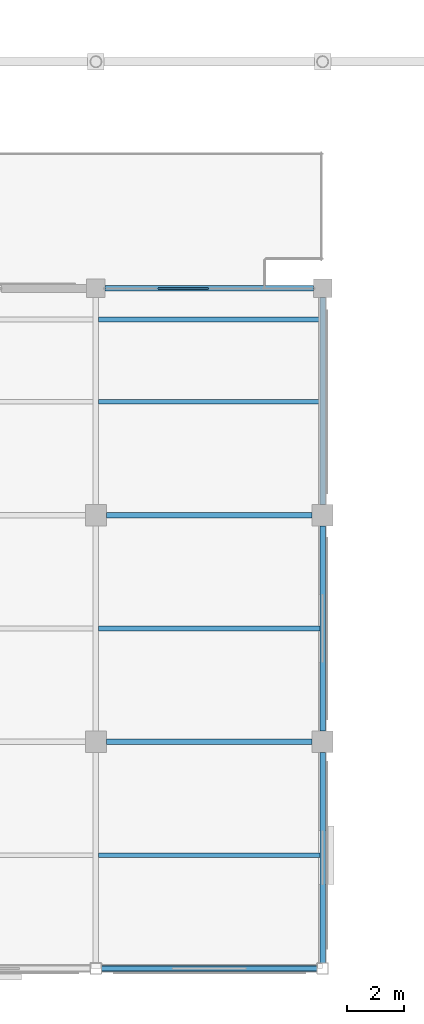
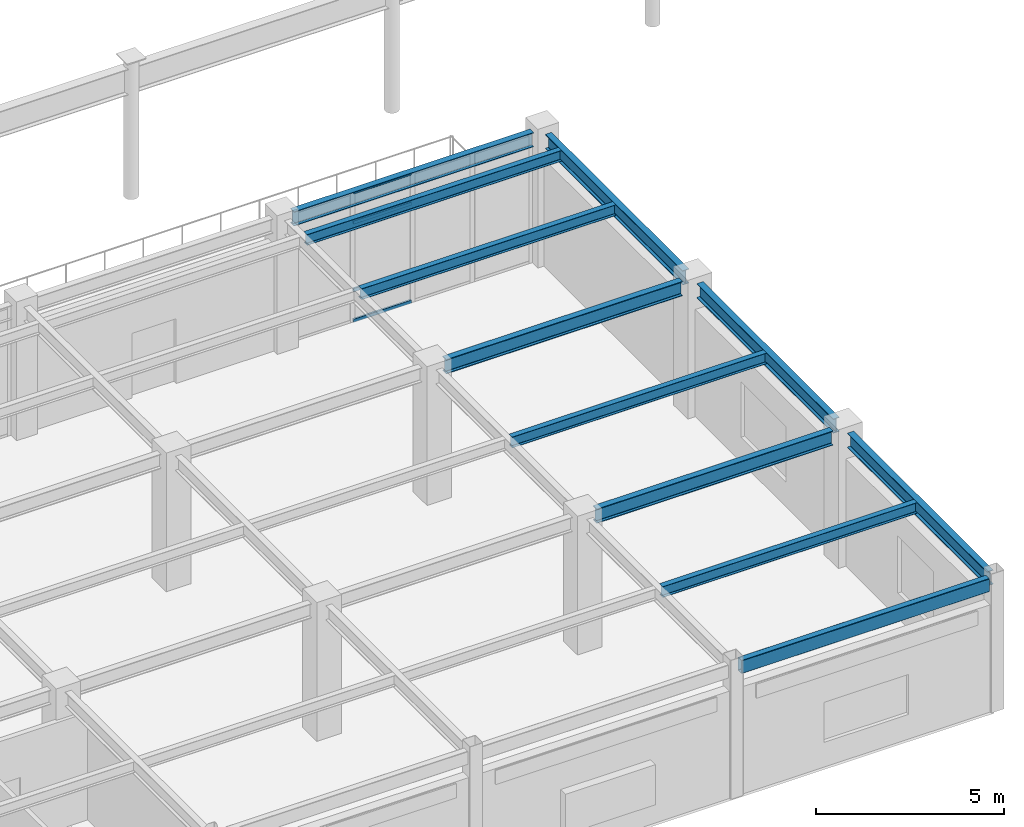
# One storey, part 28 of 78: 11 beams, 4 members, 1 element without a shape of its own.
"""IFC4 building model written with IfcOpenShell, lengths in metres."""

from ifc_helpers import new_model, si_unit, direction, frame, origin, origin_2d, place, context, subcontext, project, spatial, hollow_rectangle, i_section, extrude, material, material_profile, profile_set, type_object, element, aggregate, save


model = new_model("IFC4")

# Units and contexts
model_context = context("Model", 3, precision=1e-05, world=origin(), true_north=direction((0.0, 1.0)))
body_context = subcontext(model_context, "Body", "Model", "MODEL_VIEW")
ifc_project = project(units=[si_unit("LENGTHUNIT", "METRE"), si_unit("AREAUNIT", "SQUARE_METRE"), si_unit("VOLUMEUNIT", "CUBIC_METRE"), si_unit("PLANEANGLEUNIT", "RADIAN"), si_unit("MASSUNIT", "GRAM", prefix="KILO")], contexts=[model_context])

# Site, building, storey
site_placement = place(None, origin())
site = spatial("IfcSite", under=ifc_project, at=site_placement, CompositionType="ELEMENT")
building_placement = place(site_placement, origin())
building = spatial("IfcBuilding", under=site, at=building_placement, Name="Solmirada Galleria", CompositionType="ELEMENT")
storey_placement = place(building_placement, frame((0.0, 0.0, 23.89990234375)))
storey = spatial("IfcBuildingStorey", under=building, at=storey_placement, Name="L05", CompositionType="ELEMENT", Elevation=23.89990234375)

# Beams
ifc_material_1 = material(Name="Steel S355 / ASTM A992 Grade 50", Category="steel")
ifc_material_profile_1 = material_profile(ifc_material_1, i_section(OverallWidth=0.194091796875, OverallDepth=0.468994140625, WebThickness=0.0126953125, FlangeThickness=0.0205078125, FilletRadius=0.013916015625, at=origin_2d()), Name="W18X71")
ifc_profile_set_1 = profile_set([ifc_material_profile_1], Name="Steel S355 / ASTM A992 Grade 50")
beam_type_1 = type_object("IfcBeamType", Name="BM-GIRD-W18B", PredefinedType="BEAM", material=ifc_profile_set_1)
beam_1_placement = place(storey_placement, frame((128.375, 16.0, 4.065673828125), z_axis=(1.0, 0.0, 0.0), x_axis=(0.0, 1.0, 0.0)))
element("IfcBeam", 1, at=beam_1_placement, inside=storey, type_object=beam_type_1, Name="Primary beam L06 X(128..136, 16)", PredefinedType="BEAM", context=body_context, shape_type="SweptSolid", body=[
    extrude(i_section(OverallWidth=0.194091796875, OverallDepth=0.468994140625, WebThickness=0.0126953125, FlangeThickness=0.0205078125, FilletRadius=0.013916015625, at=origin_2d()), origin(), (0.0, 0.0, 1.0), 7.25),
])
ifc_material_profile_2 = material_profile(ifc_material_1, i_section(OverallWidth=0.193115234375, OverallDepth=0.466064453125, WebThickness=0.011474609375, FlangeThickness=0.01904296875, FilletRadius=0.013916015625, at=origin_2d()), Name="W18X65")
ifc_profile_set_2 = profile_set([ifc_material_profile_2], Name="Steel S355 / ASTM A992 Grade 50")
beam_type_2 = type_object("IfcBeamType", Name="BM-GIRD-W18C", PredefinedType="BEAM", material=ifc_profile_set_2)
beam_2_placement = place(storey_placement, frame((128.375, 8.0, 4.067138671875), z_axis=(1.0, 0.0, 0.0), x_axis=(0.0, 1.0, 0.0)))
element("IfcBeam", 2, at=beam_2_placement, inside=storey, type_object=beam_type_2, Name="Primary beam L06 X(128..136, 8)", PredefinedType="BEAM", context=body_context, shape_type="SweptSolid", body=[
    extrude(i_section(OverallWidth=0.193115234375, OverallDepth=0.466064453125, WebThickness=0.011474609375, FlangeThickness=0.01904296875, FilletRadius=0.013916015625, at=origin_2d()), origin(), (0.0, 0.0, 1.0), 7.25),
])
beam_3_placement = place(storey_placement, frame((128.324951171875, 24.0, 4.027099609375), z_axis=(1.0, 0.0, 0.0), x_axis=(0.0, 1.0, 0.0)))
element("IfcBeam", 3, at=beam_3_placement, inside=storey, type_object=beam_type_2, Name="Primary beam L06 X(128..136, 24)", PredefinedType="BEAM", context=body_context, shape_type="SweptSolid", body=[
    extrude(i_section(OverallWidth=0.193115234375, OverallDepth=0.466064453125, WebThickness=0.011474609375, FlangeThickness=0.01904296875, FilletRadius=0.013916015625, at=origin_2d()), origin(), (0.0, 0.0, 1.0), 7.35009765625),
])
beam_4_placement = place(storey_placement, frame((136.0, 0.202880859375, 4.067138671875), z_axis=(0.0, 1.0, 0.0), x_axis=(-1.0, 0.0, 0.0)))
element("IfcBeam", 4, at=beam_4_placement, inside=storey, type_object=beam_type_2, Name="Primary girder L06 Y(136, 0..8)", PredefinedType="BEAM", context=body_context, shape_type="SweptSolid", body=[
    extrude(i_section(OverallWidth=0.193115234375, OverallDepth=0.466064453125, WebThickness=0.011474609375, FlangeThickness=0.01904296875, FilletRadius=0.013916015625, at=origin_2d()), origin(), (0.0, 0.0, 1.0), 7.422119140625),
])
beam_5_placement = place(storey_placement, frame((136.0, 8.375, 4.067138671875), z_axis=(0.0, 1.0, 0.0), x_axis=(-1.0, 0.0, 0.0)))
element("IfcBeam", 5, at=beam_5_placement, inside=storey, type_object=beam_type_2, Name="Primary girder L06 Y(136, 8..16)", PredefinedType="BEAM", context=body_context, shape_type="SweptSolid", body=[
    extrude(i_section(OverallWidth=0.193115234375, OverallDepth=0.466064453125, WebThickness=0.011474609375, FlangeThickness=0.01904296875, FilletRadius=0.013916015625, at=origin_2d()), origin(), (0.0, 0.0, 1.0), 7.25),
])
beam_6_placement = place(storey_placement, frame((136.0, 16.375, 4.027099609375), z_axis=(0.0, 1.0, 0.0), x_axis=(-1.0, 0.0, 0.0)))
element("IfcBeam", 6, at=beam_6_placement, inside=storey, type_object=beam_type_2, Name="Primary girder L06 Y(136, 16..24)", PredefinedType="BEAM", context=body_context, shape_type="SweptSolid", body=[
    extrude(i_section(OverallWidth=0.193115234375, OverallDepth=0.466064453125, WebThickness=0.011474609375, FlangeThickness=0.01904296875, FilletRadius=0.013916015625, at=origin_2d()), origin(), (0.0, 0.0, 1.0), 7.300048828125),
])
ifc_material_profile_3 = material_profile(ifc_material_1, i_section(OverallWidth=0.1708984375, OverallDepth=0.35205078125, WebThickness=0.0068359375, FlangeThickness=0.009765625, FilletRadius=0.010986328125, at=origin_2d()), Name="W14X30")
ifc_profile_set_3 = profile_set([ifc_material_profile_3], Name="Steel S355 / ASTM A992 Grade 50")
beam_type_3 = type_object("IfcBeamType", Name="BM-JST-W14B", PredefinedType="JOIST", material=ifc_profile_set_3)
for number, where, z_axis, x_axis, name in (
    (7, (128.096435546875, 4.0, 4.1240234375), (1.0, 0.0, 0.0), (0.0, 1.0, 0.0), "Composite floor joist L06 (128..136, 4.0)"),
    (8, (128.096435546875, 12.0, 4.1240234375), (1.0, 0.0, 0.0), (0.0, 1.0, 0.0), "Composite floor joist L06 (128..136, 12.0)"),
    (9, (128.096435546875, 20.0, 4.083984375), (1.0, 0.0, 0.0), (0.0, 1.0, 0.0), "Composite floor joist L06 (128..136, 20.0)"),
    (10, (128.096435546875, 22.89990234375, 4.083984375), (1.0, 0.0, 0.0), (0.0, 1.0, 0.0), "Terrace deck joist L06-TERR-SE X=128..136 (2)"),
):
    element("IfcBeam", number, at=place(storey_placement, frame(where, z_axis=z_axis, x_axis=x_axis)), inside=storey, type_object=beam_type_3, Name=name, PredefinedType="JOIST", context=body_context, shape_type="SweptSolid", body=[
        extrude(i_section(OverallWidth=0.1708984375, OverallDepth=0.35205078125, WebThickness=0.0068359375, FlangeThickness=0.009765625, FilletRadius=0.010986328125, at=origin_2d()), origin(), (0.0, 0.0, 1.0), 7.80712890625),
    ])
ifc_material_2 = material(Name="Steel S355 / ASTM A500 Grade C", Category="steel")
ifc_material_profile_4 = material_profile(ifc_material_2, hollow_rectangle(XDim=0.202880859375, YDim=0.431884765625, WallThickness=0.01171875, InnerFilletRadius=0.01171875, OuterFilletRadius=0.023681640625, at=origin_2d()), Name="HSS17X8X1/2")
ifc_profile_set_4 = profile_set([ifc_material_profile_4], Name="Steel S355 / ASTM A500 Grade C")
beam_type_4 = type_object("IfcBeamType", Name="BM-SPAND-W16B", PredefinedType="SPANDREL", material=ifc_profile_set_4)
beam_7_placement = place(storey_placement, frame((128.202880859375, 0.0, 4.083984375), z_axis=(1.0, 0.0, 0.0), x_axis=(0.0, 1.0, 0.0)))
element("IfcBeam", 11, at=beam_7_placement, inside=storey, type_object=beam_type_4, Name="Primary beam L06 X(128..136, 0)", PredefinedType="SPANDREL", context=body_context, shape_type="SweptSolid", body=[
    extrude(hollow_rectangle(XDim=0.202880859375, YDim=0.431884765625, WallThickness=0.01171875, InnerFilletRadius=0.01171875, OuterFilletRadius=0.023681640625, at=origin_2d()), origin(), (0.0, 0.0, 1.0), 7.59423828125),
])

# Curtain wall, members
ifc_material_3 = material(Name="Impact-resistant low-E double glazing", Category="glass")
curtain_wall_type = type_object("IfcCurtainWallType", Name="CW-FZ5-L05-B4-L074", PredefinedType="NOTDEFINED", material=ifc_material_3)
curtain_wall_placement = place(storey_placement, origin())
curtain_wall = element("IfcCurtainWall", 12, at=curtain_wall_placement, inside=storey, type_object=curtain_wall_type, Name="Terrace and arcade storefront CW-L05-184", PredefinedType="NOTDEFINED")
ifc_material_4 = material(Name="Anodised aluminium framing", Category="aluminium")
ifc_material_profile_5 = material_profile(ifc_material_4, hollow_rectangle(XDim=0.06005859375, YDim=0.110107421875, WallThickness=0.003173828125, InnerFilletRadius=0.003173828125, OuterFilletRadius=0.00634765625, at=origin_2d()), Name="ALU-TRAN-110X60")
ifc_profile_set_5 = profile_set([ifc_material_profile_5], Name="Anodised aluminium framing")
member_type = type_object("IfcMemberType", Name="CW-TRAN-110", PredefinedType="USERDEFINED", material=ifc_profile_set_5)
member_1_placement = place(storey_placement, frame((130.193603515625, 24.0, 0.030029296875), z_axis=(1.0, 0.0, 0.0), x_axis=(0.0, 1.0, 0.0)))
member_1 = element("IfcMember", 13, at=member_1_placement, type_object=member_type, Name="CW37 transom 2.1", ObjectType="TRANSOM", PredefinedType="USERDEFINED", context=body_context, shape_type="SweptSolid", body=[
    extrude(hollow_rectangle(XDim=0.06005859375, YDim=0.110107421875, WallThickness=0.003173828125, InnerFilletRadius=0.003173828125, OuterFilletRadius=0.00634765625, at=origin_2d()), origin(), (0.0, 0.0, 1.0), 1.7763671875),
])
member_2_placement = place(storey_placement, frame((130.193603515625, 24.0, 1.02001953125), z_axis=(1.0, 0.0, 0.0), x_axis=(0.0, 1.0, 0.0)))
member_2 = element("IfcMember", 14, at=member_2_placement, type_object=member_type, Name="CW37 transom 2.2", ObjectType="TRANSOM", PredefinedType="USERDEFINED", context=body_context, shape_type="SweptSolid", body=[
    extrude(hollow_rectangle(XDim=0.06005859375, YDim=0.110107421875, WallThickness=0.003173828125, InnerFilletRadius=0.003173828125, OuterFilletRadius=0.00634765625, at=origin_2d()), origin(), (0.0, 0.0, 1.0), 1.7763671875),
])
member_3_placement = place(storey_placement, frame((130.193603515625, 24.0, 3.210205078125), z_axis=(1.0, 0.0, 0.0), x_axis=(0.0, 1.0, 0.0)))
member_3 = element("IfcMember", 15, at=member_3_placement, type_object=member_type, Name="CW37 transom 2.3", ObjectType="TRANSOM", PredefinedType="USERDEFINED", context=body_context, shape_type="SweptSolid", body=[
    extrude(hollow_rectangle(XDim=0.06005859375, YDim=0.110107421875, WallThickness=0.003173828125, InnerFilletRadius=0.003173828125, OuterFilletRadius=0.00634765625, at=origin_2d()), origin(), (0.0, 0.0, 1.0), 1.7763671875),
])
member_4_placement = place(storey_placement, frame((130.193603515625, 24.0, 4.190185546875), z_axis=(1.0, 0.0, 0.0), x_axis=(0.0, 1.0, 0.0)))
member_4 = element("IfcMember", 16, at=member_4_placement, type_object=member_type, Name="CW37 transom 2.4", ObjectType="TRANSOM", PredefinedType="USERDEFINED", context=body_context, shape_type="SweptSolid", body=[
    extrude(hollow_rectangle(XDim=0.06005859375, YDim=0.110107421875, WallThickness=0.003173828125, InnerFilletRadius=0.003173828125, OuterFilletRadius=0.00634765625, at=origin_2d()), origin(), (0.0, 0.0, 1.0), 1.7763671875),
])
aggregate(curtain_wall, [member_1, member_2, member_3, member_4])

save(model, "model.ifc")
